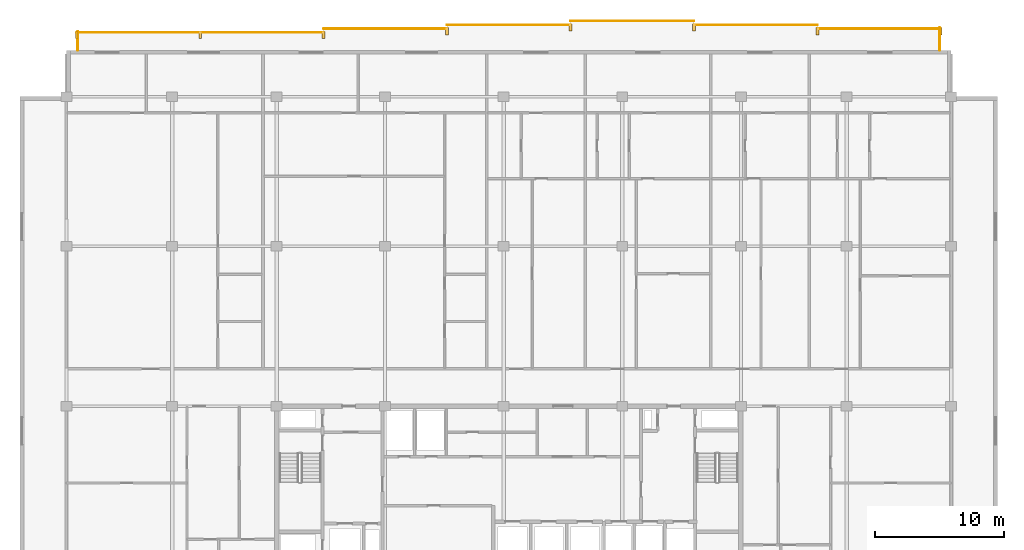
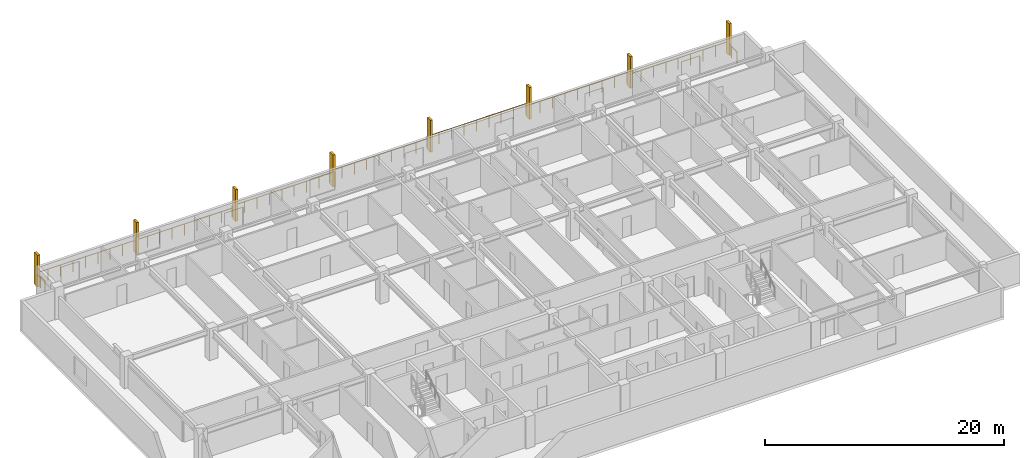
# One storey, part 21 of 21: 8 railings, 8 shading devices.
"""IFC4 building model written with IfcOpenShell, lengths in metres."""

from ifc_helpers import new_model, si_unit, direction, frame, origin, origin_2d, place, context, subcontext, project, spatial, rectangle, circle, extrude, material, type_object, element, save


model = new_model("IFC4")

# Units and contexts
model_context = context("Model", 3, precision=1e-05, world=origin(), true_north=direction((0.0, 1.0)))
body_context = subcontext(model_context, "Body", "Model", "MODEL_VIEW")
ifc_project = project(units=[si_unit("LENGTHUNIT", "METRE"), si_unit("AREAUNIT", "SQUARE_METRE"), si_unit("VOLUMEUNIT", "CUBIC_METRE"), si_unit("PLANEANGLEUNIT", "RADIAN"), si_unit("MASSUNIT", "GRAM", prefix="KILO")], contexts=[model_context])

# Site, building, storey
site_placement = place(None, origin())
site = spatial("IfcSite", under=ifc_project, at=site_placement, CompositionType="ELEMENT")
building_placement = place(site_placement, origin())
building = spatial("IfcBuilding", under=site, at=building_placement, Name="Korimba Cascade Residences", CompositionType="ELEMENT")
storey_placement = place(building_placement, frame((0.0, 0.0, 175.10009765625)))
storey = spatial("IfcBuildingStorey", under=building, at=storey_placement, Name="L50", CompositionType="ELEMENT", Elevation=175.10009765625)

# Railings
ifc_material_1 = material(Name="Laminated Glass and Bronze Balustrade", Category="glass")
railing_type = type_object("IfcRailingType", Name="RLG-LOG-1150", PredefinedType="BALUSTRADE", material=ifc_material_1)
railing_1_placement = place(storey_placement, frame((127.52001953125, 94.800048828125, 0.0)))
element("IfcRailing", 1, at=railing_1_placement, inside=storey, type_object=railing_type, Name="L50 Perimeter Guardrail RLG-L50-T1-LOG-01", PredefinedType="BALUSTRADE", context=body_context, shape_type="SweptSolid", body=[
    extrude(circle(Radius=0.02392578125, at=origin_2d()), frame((0.0, 0.0, 1.1259765625), z_axis=(0.0, 1.0, 0.0), x_axis=(-1.0, 0.0, 0.0)), (0.0, 0.0, 1.0), 1.75),
    extrude(circle(Radius=0.02099609375, at=origin_2d()), origin(), (0.0, 0.0, 1.0), 1.101806640625),
    extrude(circle(Radius=0.02099609375, at=origin_2d()), frame((0.0, 0.875, 0.0)), (0.0, 0.0, 1.0), 1.101806640625),
    extrude(circle(Radius=0.02099609375, at=origin_2d()), frame((0.0, 1.75, 0.0)), (0.0, 0.0, 1.0), 1.101806640625),
])
for number, where, name in (
    (2, (127.60009765625, 96.469970703125, 0.0), "L50 Perimeter Guardrail RLG-L50-T1-LOG-02"),
    (3, (118.028564453125, 96.77001953125, 0.0), "L50 Perimeter Guardrail RLG-L50-T1-LOG-03"),
):
    element("IfcRailing", number, at=place(storey_placement, frame(where)), inside=storey, type_object=railing_type, Name=name, PredefinedType="BALUSTRADE", context=body_context, shape_type="SweptSolid", body=[
        extrude(circle(Radius=0.02392578125, at=origin_2d()), frame((0.0, 0.0, 1.1259765625), z_axis=(-1.0, 0.0, 0.0), x_axis=(0.0, -1.0, 0.0)), (0.0, 0.0, 1.0), 9.571533203125),
        extrude(circle(Radius=0.02099609375, at=origin_2d()), origin(), (0.0, 0.0, 1.0), 1.101806640625),
        extrude(circle(Radius=0.02099609375, at=origin_2d()), frame((-1.196533203125, 0.0, 0.0)), (0.0, 0.0, 1.0), 1.101806640625),
        extrude(circle(Radius=0.02099609375, at=origin_2d()), frame((-2.392822265625, 0.0, 0.0)), (0.0, 0.0, 1.0), 1.101806640625),
        extrude(circle(Radius=0.02099609375, at=origin_2d()), frame((-3.58935546875, 0.0, 0.0)), (0.0, 0.0, 1.0), 1.101806640625),
        extrude(circle(Radius=0.02099609375, at=origin_2d()), frame((-4.78564453125, 0.0, 0.0)), (0.0, 0.0, 1.0), 1.101806640625),
        extrude(circle(Radius=0.02099609375, at=origin_2d()), frame((-5.982177734375, 0.0, 0.0)), (0.0, 0.0, 1.0), 1.101806640625),
        extrude(circle(Radius=0.02099609375, at=origin_2d()), frame((-7.1787109375, 0.0, 0.0)), (0.0, 0.0, 1.0), 1.101806640625),
        extrude(circle(Radius=0.02099609375, at=origin_2d()), frame((-8.375, 0.0, 0.0)), (0.0, 0.0, 1.0), 1.101806640625),
        extrude(circle(Radius=0.02099609375, at=origin_2d()), frame((-9.571533203125, 0.0, 0.0)), (0.0, 0.0, 1.0), 1.101806640625),
    ])
railing_2_placement = place(storey_placement, frame((108.45703125, 97.070068359375, 0.0)))
element("IfcRailing", 4, at=railing_2_placement, inside=storey, type_object=railing_type, Name="L50 Perimeter Guardrail RLG-L50-T1-LOG-04", PredefinedType="BALUSTRADE", context=body_context, shape_type="SweptSolid", body=[
    extrude(circle(Radius=0.02392578125, at=origin_2d()), frame((0.0, 0.0, 1.1259765625), z_axis=(-1.0, 0.0, 0.0), x_axis=(0.0, -1.0, 0.0)), (0.0, 0.0, 1.0), 9.5712890625),
    extrude(circle(Radius=0.02099609375, at=origin_2d()), origin(), (0.0, 0.0, 1.0), 1.101806640625),
    extrude(circle(Radius=0.02099609375, at=origin_2d()), frame((-1.1962890625, 0.0, 0.0)), (0.0, 0.0, 1.0), 1.101806640625),
    extrude(circle(Radius=0.02099609375, at=origin_2d()), frame((-2.392822265625, 0.0, 0.0)), (0.0, 0.0, 1.0), 1.101806640625),
    extrude(circle(Radius=0.02099609375, at=origin_2d()), frame((-3.58935546875, 0.0, 0.0)), (0.0, 0.0, 1.0), 1.101806640625),
    extrude(circle(Radius=0.02099609375, at=origin_2d()), frame((-4.78564453125, 0.0, 0.0)), (0.0, 0.0, 1.0), 1.101806640625),
    extrude(circle(Radius=0.02099609375, at=origin_2d()), frame((-5.98193359375, 0.0, 0.0)), (0.0, 0.0, 1.0), 1.101806640625),
    extrude(circle(Radius=0.02099609375, at=origin_2d()), frame((-7.178466796875, 0.0, 0.0)), (0.0, 0.0, 1.0), 1.101806640625),
    extrude(circle(Radius=0.02099609375, at=origin_2d()), frame((-8.375, 0.0, 0.0)), (0.0, 0.0, 1.0), 1.101806640625),
    extrude(circle(Radius=0.02099609375, at=origin_2d()), frame((-9.5712890625, 0.0, 0.0)), (0.0, 0.0, 1.0), 1.101806640625),
])
railing_3_placement = place(storey_placement, frame((98.8857421875, 96.77001953125, 0.0)))
element("IfcRailing", 5, at=railing_3_placement, inside=storey, type_object=railing_type, Name="L50 Perimeter Guardrail RLG-L50-T1-LOG-05", PredefinedType="BALUSTRADE", context=body_context, shape_type="SweptSolid", body=[
    extrude(circle(Radius=0.02392578125, at=origin_2d()), frame((0.0, 0.0, 1.1259765625), z_axis=(-1.0, 0.0, 0.0), x_axis=(0.0, -1.0, 0.0)), (0.0, 0.0, 1.0), 9.571533203125),
    extrude(circle(Radius=0.02099609375, at=origin_2d()), origin(), (0.0, 0.0, 1.0), 1.101806640625),
    extrude(circle(Radius=0.02099609375, at=origin_2d()), frame((-1.196533203125, 0.0, 0.0)), (0.0, 0.0, 1.0), 1.101806640625),
    extrude(circle(Radius=0.02099609375, at=origin_2d()), frame((-2.392822265625, 0.0, 0.0)), (0.0, 0.0, 1.0), 1.101806640625),
    extrude(circle(Radius=0.02099609375, at=origin_2d()), frame((-3.58935546875, 0.0, 0.0)), (0.0, 0.0, 1.0), 1.101806640625),
    extrude(circle(Radius=0.02099609375, at=origin_2d()), frame((-4.78564453125, 0.0, 0.0)), (0.0, 0.0, 1.0), 1.101806640625),
    extrude(circle(Radius=0.02099609375, at=origin_2d()), frame((-5.982177734375, 0.0, 0.0)), (0.0, 0.0, 1.0), 1.101806640625),
    extrude(circle(Radius=0.02099609375, at=origin_2d()), frame((-7.1787109375, 0.0, 0.0)), (0.0, 0.0, 1.0), 1.101806640625),
    extrude(circle(Radius=0.02099609375, at=origin_2d()), frame((-8.375, 0.0, 0.0)), (0.0, 0.0, 1.0), 1.101806640625),
    extrude(circle(Radius=0.02099609375, at=origin_2d()), frame((-9.571533203125, 0.0, 0.0)), (0.0, 0.0, 1.0), 1.101806640625),
])
railing_4_placement = place(storey_placement, frame((89.314208984375, 96.469970703125, 0.0)))
element("IfcRailing", 6, at=railing_4_placement, inside=storey, type_object=railing_type, Name="L50 Perimeter Guardrail RLG-L50-T1-LOG-06", PredefinedType="BALUSTRADE", context=body_context, shape_type="SweptSolid", body=[
    extrude(circle(Radius=0.02392578125, at=origin_2d()), frame((0.0, 0.0, 1.1259765625), z_axis=(-1.0, 0.0, 0.0), x_axis=(0.0, -1.0, 0.0)), (0.0, 0.0, 1.0), 9.5712890625),
    extrude(circle(Radius=0.02099609375, at=origin_2d()), origin(), (0.0, 0.0, 1.0), 1.101806640625),
    extrude(circle(Radius=0.02099609375, at=origin_2d()), frame((-1.1962890625, 0.0, 0.0)), (0.0, 0.0, 1.0), 1.101806640625),
    extrude(circle(Radius=0.02099609375, at=origin_2d()), frame((-2.392822265625, 0.0, 0.0)), (0.0, 0.0, 1.0), 1.101806640625),
    extrude(circle(Radius=0.02099609375, at=origin_2d()), frame((-3.58935546875, 0.0, 0.0)), (0.0, 0.0, 1.0), 1.101806640625),
    extrude(circle(Radius=0.02099609375, at=origin_2d()), frame((-4.78564453125, 0.0, 0.0)), (0.0, 0.0, 1.0), 1.101806640625),
    extrude(circle(Radius=0.02099609375, at=origin_2d()), frame((-5.98193359375, 0.0, 0.0)), (0.0, 0.0, 1.0), 1.101806640625),
    extrude(circle(Radius=0.02099609375, at=origin_2d()), frame((-7.178466796875, 0.0, 0.0)), (0.0, 0.0, 1.0), 1.101806640625),
    extrude(circle(Radius=0.02099609375, at=origin_2d()), frame((-8.375, 0.0, 0.0)), (0.0, 0.0, 1.0), 1.101806640625),
    extrude(circle(Radius=0.02099609375, at=origin_2d()), frame((-9.5712890625, 0.0, 0.0)), (0.0, 0.0, 1.0), 1.101806640625),
])
railing_5_placement = place(storey_placement, frame((79.742919921875, 96.169921875, 0.0)))
element("IfcRailing", 7, at=railing_5_placement, inside=storey, type_object=railing_type, Name="L50 Perimeter Guardrail RLG-L50-T1-LOG-07", PredefinedType="BALUSTRADE", context=body_context, shape_type="SweptSolid", body=[
    extrude(circle(Radius=0.02392578125, at=origin_2d()), frame((0.0, 0.0, 1.1259765625), z_axis=(-1.0, 0.0, 0.0), x_axis=(0.0, -1.0, 0.0)), (0.0, 0.0, 1.0), 19.142822265625),
    extrude(circle(Radius=0.02099609375, at=origin_2d()), origin(), (0.0, 0.0, 1.0), 1.101806640625),
    extrude(circle(Radius=0.02099609375, at=origin_2d()), frame((-1.196533203125, 0.0, 0.0)), (0.0, 0.0, 1.0), 1.101806640625),
    extrude(circle(Radius=0.02099609375, at=origin_2d()), frame((-2.392822265625, 0.0, 0.0)), (0.0, 0.0, 1.0), 1.101806640625),
    extrude(circle(Radius=0.02099609375, at=origin_2d()), frame((-3.58935546875, 0.0, 0.0)), (0.0, 0.0, 1.0), 1.101806640625),
    extrude(circle(Radius=0.02099609375, at=origin_2d()), frame((-4.78564453125, 0.0, 0.0)), (0.0, 0.0, 1.0), 1.101806640625),
    extrude(circle(Radius=0.02099609375, at=origin_2d()), frame((-5.982177734375, 0.0, 0.0)), (0.0, 0.0, 1.0), 1.101806640625),
    extrude(circle(Radius=0.02099609375, at=origin_2d()), frame((-7.178466796875, 0.0, 0.0)), (0.0, 0.0, 1.0), 1.101806640625),
    extrude(circle(Radius=0.02099609375, at=origin_2d()), frame((-8.375, 0.0, 0.0)), (0.0, 0.0, 1.0), 1.101806640625),
    extrude(circle(Radius=0.02099609375, at=origin_2d()), frame((-9.5712890625, 0.0, 0.0)), (0.0, 0.0, 1.0), 1.101806640625),
    extrude(circle(Radius=0.02099609375, at=origin_2d()), frame((-10.767822265625, 0.0, 0.0)), (0.0, 0.0, 1.0), 1.101806640625),
    extrude(circle(Radius=0.02099609375, at=origin_2d()), frame((-11.96435546875, 0.0, 0.0)), (0.0, 0.0, 1.0), 1.101806640625),
    extrude(circle(Radius=0.02099609375, at=origin_2d()), frame((-13.16064453125, 0.0, 0.0)), (0.0, 0.0, 1.0), 1.101806640625),
    extrude(circle(Radius=0.02099609375, at=origin_2d()), frame((-14.357177734375, 0.0, 0.0)), (0.0, 0.0, 1.0), 1.101806640625),
    extrude(circle(Radius=0.02099609375, at=origin_2d()), frame((-15.553466796875, 0.0, 0.0)), (0.0, 0.0, 1.0), 1.101806640625),
    extrude(circle(Radius=0.02099609375, at=origin_2d()), frame((-16.75, 0.0, 0.0)), (0.0, 0.0, 1.0), 1.101806640625),
    extrude(circle(Radius=0.02099609375, at=origin_2d()), frame((-17.9462890625, 0.0, 0.0)), (0.0, 0.0, 1.0), 1.101806640625),
    extrude(circle(Radius=0.02099609375, at=origin_2d()), frame((-19.142822265625, 0.0, 0.0)), (0.0, 0.0, 1.0), 1.101806640625),
])
railing_6_placement = place(storey_placement, frame((60.679931640625, 96.25, 0.0)))
element("IfcRailing", 8, at=railing_6_placement, inside=storey, type_object=railing_type, Name="L50 Perimeter Guardrail RLG-L50-T1-LOG-08", PredefinedType="BALUSTRADE", context=body_context, shape_type="SweptSolid", body=[
    extrude(circle(Radius=0.02392578125, at=origin_2d()), frame((0.0, 0.0, 1.1259765625), z_axis=(0.0, -1.0, 0.0), x_axis=(1.0, 0.0, 0.0)), (0.0, 0.0, 1.0), 1.449951171875),
    extrude(circle(Radius=0.02099609375, at=origin_2d()), origin(), (0.0, 0.0, 1.0), 1.101806640625),
    extrude(circle(Radius=0.02099609375, at=origin_2d()), frame((0.0, -0.72509765625, 0.0)), (0.0, 0.0, 1.0), 1.101806640625),
    extrude(circle(Radius=0.02099609375, at=origin_2d()), frame((0.0, -1.449951171875, 0.0)), (0.0, 0.0, 1.0), 1.101806640625),
])

# Shading devices
ifc_material_2 = material(Name="Honed Sandstone Precast Fin", Category="masonry")
shading_device_type = type_object("IfcShadingDeviceType", Name="SHD-FIN-550", PredefinedType="USERDEFINED", material=ifc_material_2)
for number, where, z_axis, x_axis, name in (
    (9, (60.60009765625, 95.97509765625, 0.0), (0.0, 0.0, 1.0), (1.0, 0.0, 0.0), "L50 T1 Warm-Stone Loggia Fin 1"),
    (10, (70.17138671875, 95.97509765625, 0.0), (0.0, 0.0, 1.0), (1.0, 0.0, 0.0), "L50 T1 Warm-Stone Loggia Fin 2"),
    (11, (79.742919921875, 95.97509765625, 0.0), (0.0, 0.0, 1.0), (1.0, 0.0, 0.0), "L50 T1 Warm-Stone Loggia Fin 3"),
    (12, (89.314208984375, 96.27490234375, 0.0), (0.0, 0.0, 1.0), (1.0, 0.0, 0.0), "L50 T1 Warm-Stone Loggia Fin 4"),
    (13, (98.8857421875, 96.574951171875, 0.0), (0.0, 0.0, 1.0), (1.0, 0.0, 0.0), "L50 T1 Warm-Stone Loggia Fin 5"),
    (14, (108.45703125, 96.574951171875, 0.0), (0.0, 0.0, 1.0), (1.0, 0.0, 0.0), "L50 T1 Warm-Stone Loggia Fin 6"),
    (15, (118.028564453125, 96.27490234375, 0.0), (0.0, 0.0, 1.0), (1.0, 0.0, 0.0), "L50 T1 Warm-Stone Loggia Fin 7"),
    (16, (127.60009765625, 96.27490234375, 0.0), (0.0, 0.0, 1.0), (1.0, 0.0, 0.0), "L50 T1 Warm-Stone Loggia Fin 8"),
):
    element("IfcShadingDevice", number, at=place(storey_placement, frame(where, z_axis=z_axis, x_axis=x_axis)), inside=storey, type_object=shading_device_type, Name=name, ObjectType="FIN", PredefinedType="USERDEFINED", context=body_context, shape_type="SweptSolid", body=[
        extrude(rectangle(XDim=0.219970703125, YDim=0.550048828125, at=origin_2d()), origin(), (0.0, 0.0, 1.0), 3.25),
    ])

save(model, "model.ifc")
